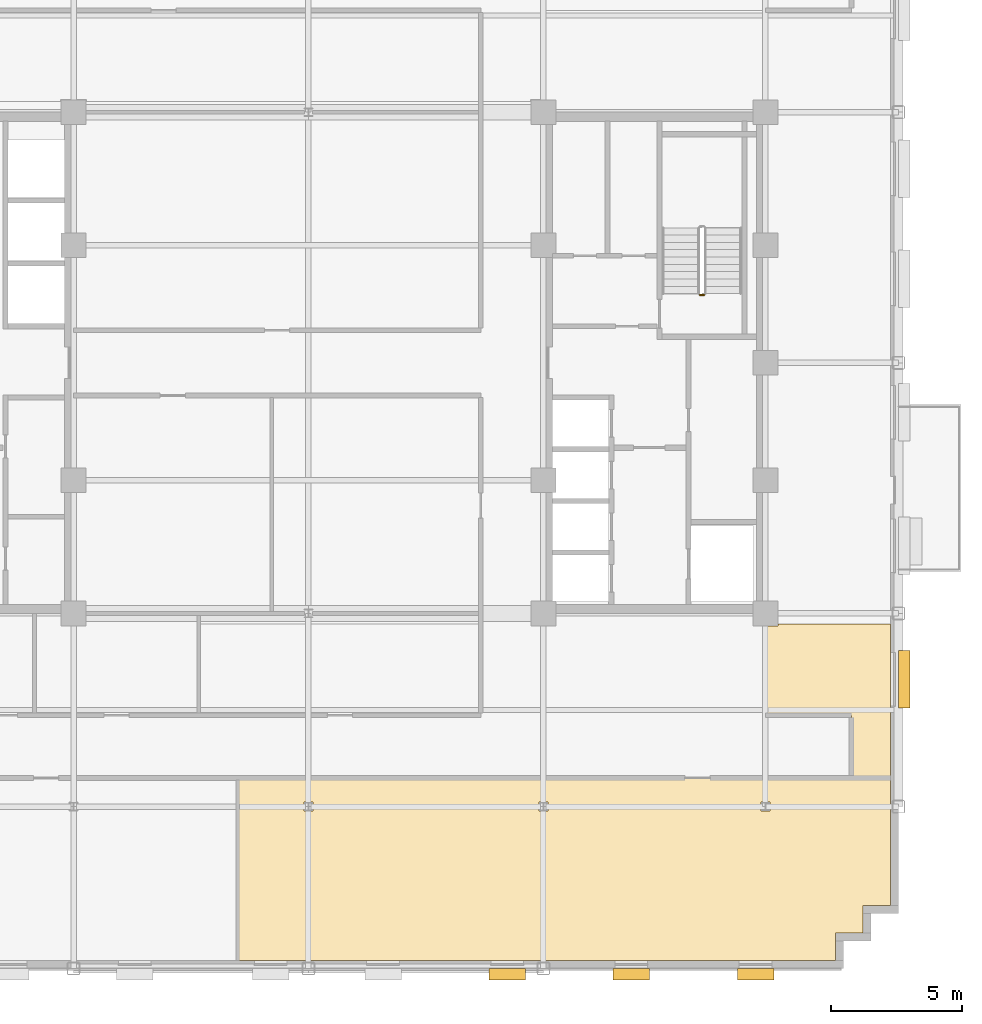
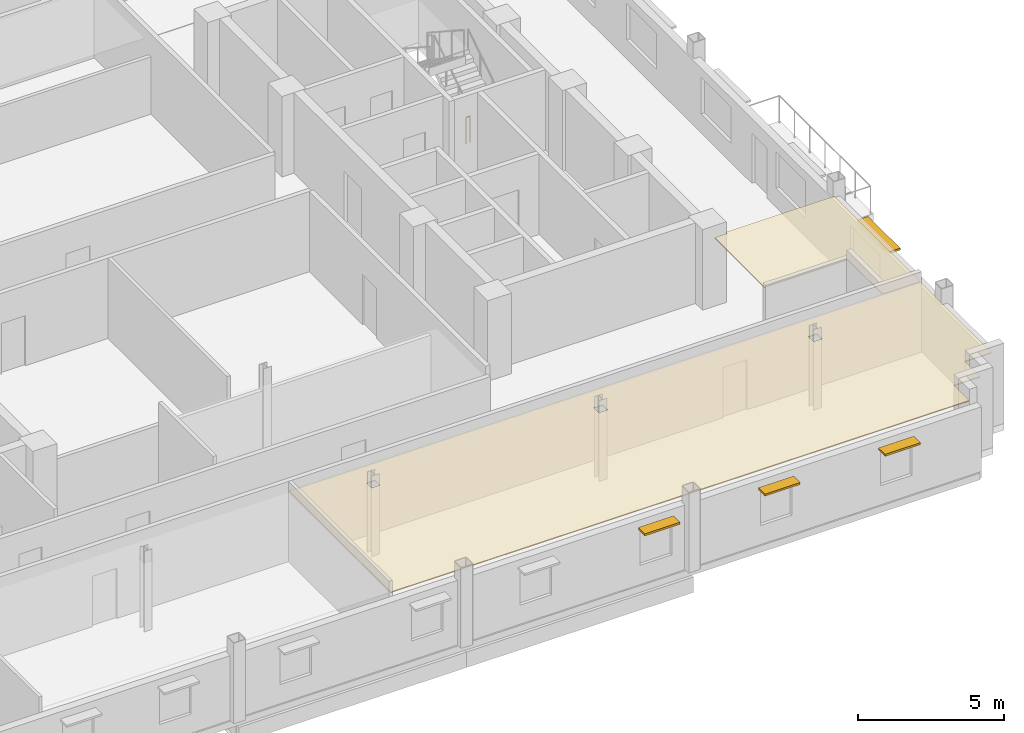
# One storey, part 13 of 15: 4 shading devices, 2 coverings, 1 railing.
"""IFC4 building model written with IfcOpenShell, lengths in metres."""

from ifc_helpers import new_model, si_unit, direction, frame, origin, origin_2d, place, context, subcontext, project, spatial, polyline, rectangle, circle, outline, extrude, source, transform, mapped, material, layer, layer_set, type_object, type_shapes, element, save


model = new_model("IFC4")

# Units and contexts
model_context = context("Model", 3, precision=1e-05, world=origin(), true_north=direction((0.0, 1.0)))
body_context = subcontext(model_context, "Body", "Model", "MODEL_VIEW")
ifc_project = project(units=[si_unit("LENGTHUNIT", "METRE"), si_unit("AREAUNIT", "SQUARE_METRE"), si_unit("VOLUMEUNIT", "CUBIC_METRE"), si_unit("PLANEANGLEUNIT", "RADIAN"), si_unit("MASSUNIT", "GRAM", prefix="KILO")], contexts=[model_context])

# Site, building, storey
site_placement = place(None, origin())
site = spatial("IfcSite", under=ifc_project, at=site_placement, CompositionType="ELEMENT")
building_placement = place(site_placement, origin())
building = spatial("IfcBuilding", under=site, at=building_placement, Name="Nuvemarco Arch Tower", CompositionType="ELEMENT")
storey_placement = place(building_placement, frame((0.0, 0.0, 201.85009765625)))
storey = spatial("IfcBuildingStorey", under=building, at=storey_placement, Name="L53", CompositionType="ELEMENT", Elevation=201.85009765625)

# Coverings
ifc_material_1 = material(Name="Mineral acoustic ceiling tile")
ifc_layer = layer(ifc_material_1, 0.0400390625, Name="COV-ACOUSTIC-CLG")
ifc_layer_set = layer_set([ifc_layer], Name="Mineral acoustic ceiling tile")
covering_type = type_object("IfcCoveringType", Name="COV-ACOUSTIC-CLG", PredefinedType="CEILING", material=ifc_layer_set)
covering_1_placement = place(storey_placement, frame((0.0, 0.0, 2.849853515625)))
element("IfcCovering", 1, at=covering_1_placement, inside=storey, type_object=covering_type, Name="L53 suspended acoustic ceiling 1", PredefinedType="CEILING", context=body_context, shape_type="SweptSolid", body=[
    extrude(outline(polyline([(20.18994140625, -22.889892578125), (-2.7099609375, -22.889892578125), (-2.7099609375, -15.89990234375), (6.60009765625, -15.89990234375), (9.0, -15.89990234375), (20.800048828125, -15.89990234375), (22.2900390625, -15.89990234375), (22.2900390625, -20.7900390625), (21.239990234375, -20.7900390625), (21.239990234375, -21.840087890625), (20.18994140625, -21.840087890625), (20.18994140625, -22.889892578125)]), holes=[polyline([(0.169921875, -17.169921875), (0.169921875, -16.830078125), (-0.169921875, -16.830078125), (-0.169921875, -17.169921875), (0.169921875, -17.169921875)]), polyline([(9.169921875, -17.169921875), (9.169921875, -16.830078125), (8.830078125, -16.830078125), (8.830078125, -17.169921875), (9.169921875, -17.169921875)]), polyline([(17.669921875, -17.169921875), (17.669921875, -16.830078125), (17.330078125, -16.830078125), (17.330078125, -17.169921875), (17.669921875, -17.169921875)])]), origin(), (0.0, 0.0, 1.0), 0.0400390625),
])
covering_2_placement = place(storey_placement, frame((0.0, 0.0, 2.849853515625)))
element("IfcCovering", 2, at=covering_2_placement, inside=storey, type_object=covering_type, Name="L53 suspended acoustic ceiling 2", PredefinedType="CEILING", context=body_context, shape_type="SweptSolid", body=[
    extrude(outline(polyline([(17.5, -10.090087890625), (17.989990234375, -10.090087890625), (17.989990234375, -10.0), (22.2900390625, -10.0), (22.2900390625, -15.89990234375), (20.800048828125, -15.89990234375), (20.800048828125, -13.5), (17.5, -13.5), (17.5, -10.090087890625)])), origin(), (0.0, 0.0, 1.0), 0.0400390625),
])

# Railing
ifc_material_2 = material(Name="Painted balustrade steel S355", Category="steel")
railing_type = type_object("IfcRailingType", Name="RL-STAIR-GUARD", PredefinedType="GUARDRAIL", material=ifc_material_2)
railing_placement = place(storey_placement, frame((15.14990234375, 2.60009765625, 0.0)))
element("IfcRailing", 3, at=railing_placement, inside=storey, type_object=railing_type, Name="L53 ST-2 stair guard 4", PredefinedType="GUARDRAIL", context=body_context, shape_type="SweptSolid", body=[
    extrude(circle(Radius=0.02392578125, at=origin_2d()), frame((0.0, 0.0, 1.09619140625), z_axis=(-1.0, 0.0, 0.0), x_axis=(0.0, -1.0, 0.0)), (0.0, 0.0, 1.0), 0.159912109375),
    extrude(circle(Radius=0.02099609375, at=origin_2d()), origin(), (0.0, 0.0, 1.0), 1.072021484375),
    extrude(circle(Radius=0.02099609375, at=origin_2d()), frame((-0.159912109375, 0.0, 0.0)), (0.0, 0.0, 1.0), 1.072021484375),
])

# Shading devices
ifc_material_3 = material(Name="Anodised aluminium 6063-T6", Category="aluminium")
shading_device_type_1 = type_object("IfcShadingDeviceType", Name="SHD-BRISE-SOLEIL", PredefinedType="USERDEFINED", material=ifc_material_3)
shared_shape_1 = source(origin(), body_context, "Body", "SweptSolid", [
    extrude(rectangle(XDim=2.199951171875, YDim=0.449951171875, at=origin_2d()), origin(), (0.0, 0.0, 1.0), 0.080078125),
])
type_shapes(shading_device_type_1, [shared_shape_1])
shading_device_placement = place(storey_placement, frame((22.81494140625, -12.125, 2.324951171875), z_axis=(0.0, 0.0, 1.0), x_axis=(0.0, 1.0, 0.0)))
element("IfcShadingDevice", 4, at=shading_device_placement, inside=storey, type_object=shading_device_type_1, Name="L53 horizontal brise-soleil sunshade", ObjectType="SUNSHADE", PredefinedType="USERDEFINED", context=body_context, shape_type="MappedRepresentation", body=[
    mapped(shared_shape_1, transform((0.0, 0.0, 0.0), scale=1.0)),
])
shading_device_type_2 = type_object("IfcShadingDeviceType", Name="SHD-BRISE-NARROW", PredefinedType="USERDEFINED", material=ifc_material_3)
shared_shape_2 = source(origin(), body_context, "Body", "SweptSolid", [
    extrude(rectangle(XDim=1.39990234375, YDim=0.449951171875, at=origin_2d()), origin(), (0.0, 0.0, 1.0), 0.080078125),
])
type_shapes(shading_device_type_2, [shared_shape_2])
for number, where, z_axis, x_axis, name in (
    (5, (7.611083984375, -23.4150390625, 2.324951171875), (0.0, 0.0, 1.0), (1.0, 0.0, 0.0), "L53 horizontal brise-soleil sunshade"),
    (6, (12.36669921875, -23.4150390625, 2.324951171875), (0.0, 0.0, 1.0), (1.0, 0.0, 0.0), "L53 horizontal brise-soleil sunshade"),
    (7, (17.122314453125, -23.4150390625, 2.324951171875), (0.0, 0.0, 1.0), (1.0, 0.0, 0.0), "L53 horizontal brise-soleil sunshade"),
):
    element("IfcShadingDevice", number, at=place(storey_placement, frame(where, z_axis=z_axis, x_axis=x_axis)), inside=storey, type_object=shading_device_type_2, Name=name, ObjectType="SUNSHADE", PredefinedType="USERDEFINED", context=body_context, shape_type="MappedRepresentation", body=[
        mapped(shared_shape_2, transform((0.0, 0.0, 0.0), scale=1.0)),
    ])

save(model, "model.ifc")
